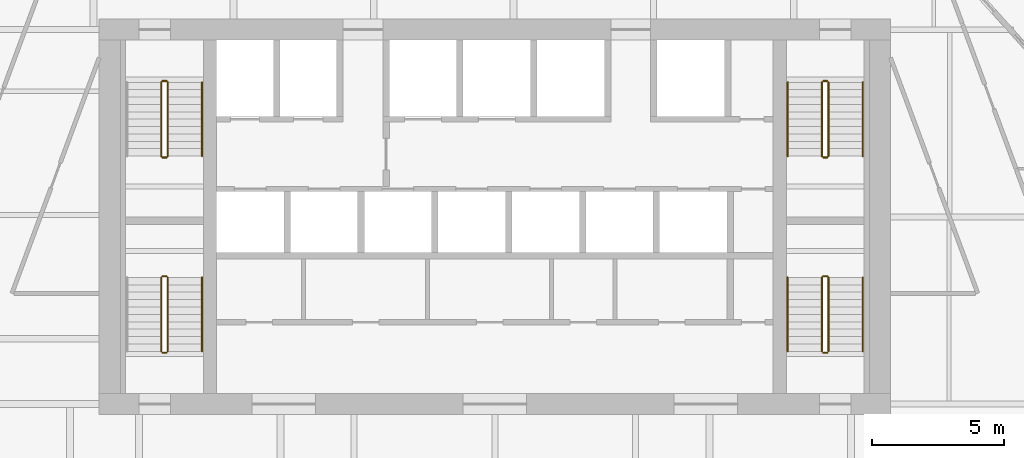
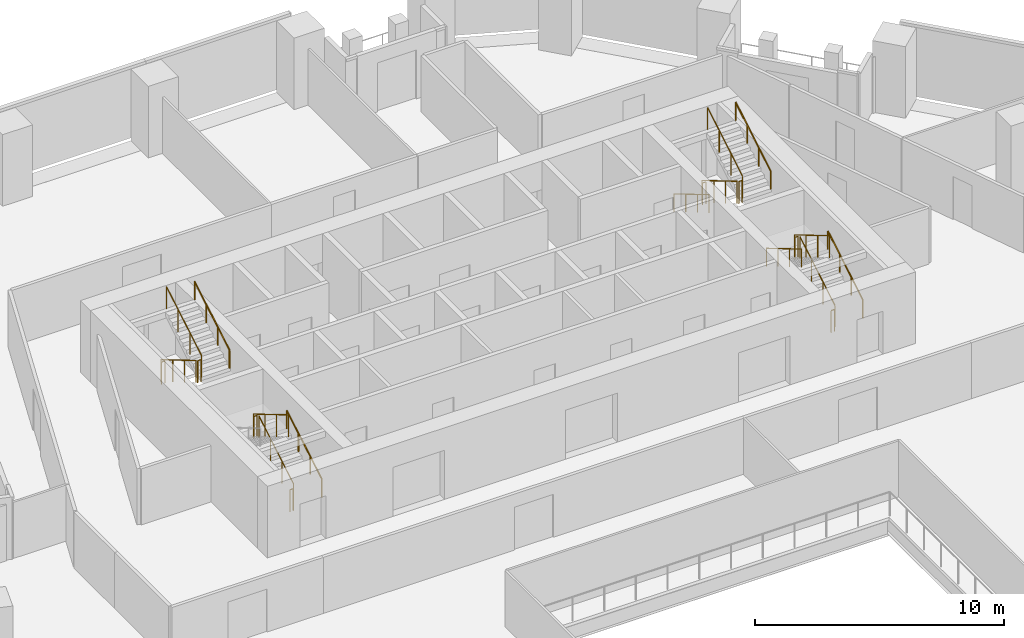
# One storey, part 22 of 24: 22 railings.
"""IFC4 building model written with IfcOpenShell, lengths in metres."""

from ifc_helpers import new_model, si_unit, direction, frame, origin, origin_2d, place, context, subcontext, project, spatial, circle, extrude, material, type_object, element, save


model = new_model("IFC4")

# Units and contexts
model_context = context("Model", 3, precision=1e-05, world=origin(), true_north=direction((0.0, 1.0)))
body_context = subcontext(model_context, "Body", "Model", "MODEL_VIEW")
ifc_project = project(units=[si_unit("LENGTHUNIT", "METRE"), si_unit("AREAUNIT", "SQUARE_METRE"), si_unit("VOLUMEUNIT", "CUBIC_METRE"), si_unit("PLANEANGLEUNIT", "RADIAN"), si_unit("MASSUNIT", "GRAM", prefix="KILO")], contexts=[model_context])

# Site, building, storey
site_placement = place(None, origin())
site = spatial("IfcSite", under=ifc_project, at=site_placement, CompositionType="ELEMENT")
building_placement = place(site_placement, origin())
building = spatial("IfcBuilding", under=site, at=building_placement, Name="Isthmus Gate Tower", CompositionType="ELEMENT")
storey_placement = place(building_placement, frame((0.0, 0.0, 159.0)))
storey = spatial("IfcBuildingStorey", under=building, at=storey_placement, Name="L39", CompositionType="ELEMENT", Elevation=159.0)

# Railings
ifc_material_1 = material(Name="Stainless steel balustrade", Category="steel")
railing_type_1 = type_object("IfcRailingType", Name="STAIR GUARD 1100", PredefinedType="GUARDRAIL", material=ifc_material_1)
railing_1_placement = place(storey_placement, frame((-12.64990234375, 12.60009765625, 0.166015625)))
element("IfcRailing", 1, at=railing_1_placement, inside=storey, type_object=railing_type_1, Name="L39 ST1 stair guard 1", PredefinedType="GUARDRAIL", context=body_context, shape_type="SweptSolid", body=[
    extrude(circle(Radius=0.02392578125, at=origin_2d()), frame((0.0, 0.0, 1.076171875), z_axis=(0.0, -0.860339051648, 0.50972219513), x_axis=(1.0, 0.0, 0.0)), (0.0, 0.0, 1.0), 3.254638671875),
    extrude(circle(Radius=0.02099609375, at=origin_2d()), origin(), (0.0, 0.0, 1.0), 1.052001953125),
    extrude(circle(Radius=0.02099609375, at=origin_2d()), frame((0.0, -0.933349609375, 0.552978515625)), (0.0, 0.0, 1.0), 1.052001953125),
    extrude(circle(Radius=0.02099609375, at=origin_2d()), frame((0.0, -1.86669921875, 1.10595703125)), (0.0, 0.0, 1.0), 1.052001953125),
    extrude(circle(Radius=0.02099609375, at=origin_2d()), frame((0.0, -2.800048828125, 1.658935546875)), (0.0, 0.0, 1.0), 1.052001953125),
])
railing_2_placement = place(storey_placement, frame((-12.60009765625, 9.75, 1.824951171875)))
element("IfcRailing", 2, at=railing_2_placement, inside=storey, type_object=railing_type_1, Name="L39 ST1 stair guard 2", PredefinedType="GUARDRAIL", context=body_context, shape_type="SweptSolid", body=[
    extrude(circle(Radius=0.02392578125, at=origin_2d()), frame((0.0, 0.0, 1.076171875), z_axis=(1.0, 0.0, 0.0), x_axis=(0.0, 1.0, 0.0)), (0.0, 0.0, 1.0), 0.150146484375),
    extrude(circle(Radius=0.02099609375, at=origin_2d()), origin(), (0.0, 0.0, 1.0), 1.052001953125),
    extrude(circle(Radius=0.02099609375, at=origin_2d()), frame((0.150146484375, 0.0, 0.0)), (0.0, 0.0, 1.0), 1.052001953125),
])
railing_3_placement = place(storey_placement, frame((-12.39990234375, 9.800048828125, 1.990966796875)))
element("IfcRailing", 3, at=railing_3_placement, inside=storey, type_object=railing_type_1, Name="L39 ST1 stair guard 3", PredefinedType="GUARDRAIL", context=body_context, shape_type="SweptSolid", body=[
    extrude(circle(Radius=0.02392578125, at=origin_2d()), frame((0.0, 0.0, 1.076171875), z_axis=(0.0, 0.860339051648, 0.50972219513), x_axis=(-1.0, 0.0, 0.0)), (0.0, 0.0, 1.0), 3.254638671875),
    extrude(circle(Radius=0.02099609375, at=origin_2d()), origin(), (0.0, 0.0, 1.0), 1.052001953125),
    extrude(circle(Radius=0.02099609375, at=origin_2d()), frame((0.0, 0.933349609375, 0.552978515625)), (0.0, 0.0, 1.0), 1.052001953125),
    extrude(circle(Radius=0.02099609375, at=origin_2d()), frame((0.0, 1.86669921875, 1.10595703125)), (0.0, 0.0, 1.0), 1.052001953125),
    extrude(circle(Radius=0.02099609375, at=origin_2d()), frame((0.0, 2.800048828125, 1.658935546875)), (0.0, 0.0, 1.0), 1.052001953125),
])
railing_4_placement = place(storey_placement, frame((-12.60009765625, 12.64990234375, 0.0)))
element("IfcRailing", 4, at=railing_4_placement, inside=storey, type_object=railing_type_1, Name="L39 ST1 stair guard 4", PredefinedType="GUARDRAIL", context=body_context, shape_type="SweptSolid", body=[
    extrude(circle(Radius=0.02392578125, at=origin_2d()), frame((0.0, 0.0, 1.076171875), z_axis=(1.0, 0.0, 0.0), x_axis=(0.0, 1.0, 0.0)), (0.0, 0.0, 1.0), 0.150146484375),
    extrude(circle(Radius=0.02099609375, at=origin_2d()), origin(), (0.0, 0.0, 1.0), 1.052001953125),
    extrude(circle(Radius=0.02099609375, at=origin_2d()), frame((0.150146484375, 0.0, 0.0)), (0.0, 0.0, 1.0), 1.052001953125),
])
railing_5_placement = place(storey_placement, frame((12.39990234375, 12.60009765625, 0.166015625)))
element("IfcRailing", 5, at=railing_5_placement, inside=storey, type_object=railing_type_1, Name="L39 ST2 stair guard 1", PredefinedType="GUARDRAIL", context=body_context, shape_type="SweptSolid", body=[
    extrude(circle(Radius=0.02392578125, at=origin_2d()), frame((0.0, 0.0, 1.076171875), z_axis=(0.0, -0.860339051648, 0.50972219513), x_axis=(1.0, 0.0, 0.0)), (0.0, 0.0, 1.0), 3.254638671875),
    extrude(circle(Radius=0.02099609375, at=origin_2d()), origin(), (0.0, 0.0, 1.0), 1.052001953125),
    extrude(circle(Radius=0.02099609375, at=origin_2d()), frame((0.0, -0.933349609375, 0.552978515625)), (0.0, 0.0, 1.0), 1.052001953125),
    extrude(circle(Radius=0.02099609375, at=origin_2d()), frame((0.0, -1.86669921875, 1.10595703125)), (0.0, 0.0, 1.0), 1.052001953125),
    extrude(circle(Radius=0.02099609375, at=origin_2d()), frame((0.0, -2.800048828125, 1.658935546875)), (0.0, 0.0, 1.0), 1.052001953125),
])
railing_6_placement = place(storey_placement, frame((12.449951171875, 9.75, 1.824951171875)))
element("IfcRailing", 6, at=railing_6_placement, inside=storey, type_object=railing_type_1, Name="L39 ST2 stair guard 2", PredefinedType="GUARDRAIL", context=body_context, shape_type="SweptSolid", body=[
    extrude(circle(Radius=0.02392578125, at=origin_2d()), frame((0.0, 0.0, 1.076171875), z_axis=(1.0, 0.0, 0.0), x_axis=(0.0, 1.0, 0.0)), (0.0, 0.0, 1.0), 0.150146484375),
    extrude(circle(Radius=0.02099609375, at=origin_2d()), origin(), (0.0, 0.0, 1.0), 1.052001953125),
    extrude(circle(Radius=0.02099609375, at=origin_2d()), frame((0.150146484375, 0.0, 0.0)), (0.0, 0.0, 1.0), 1.052001953125),
])
railing_7_placement = place(storey_placement, frame((12.64990234375, 9.800048828125, 1.990966796875)))
element("IfcRailing", 7, at=railing_7_placement, inside=storey, type_object=railing_type_1, Name="L39 ST2 stair guard 3", PredefinedType="GUARDRAIL", context=body_context, shape_type="SweptSolid", body=[
    extrude(circle(Radius=0.02392578125, at=origin_2d()), frame((0.0, 0.0, 1.076171875), z_axis=(0.0, 0.860339051648, 0.50972219513), x_axis=(-1.0, 0.0, 0.0)), (0.0, 0.0, 1.0), 3.254638671875),
    extrude(circle(Radius=0.02099609375, at=origin_2d()), origin(), (0.0, 0.0, 1.0), 1.052001953125),
    extrude(circle(Radius=0.02099609375, at=origin_2d()), frame((0.0, 0.933349609375, 0.552978515625)), (0.0, 0.0, 1.0), 1.052001953125),
    extrude(circle(Radius=0.02099609375, at=origin_2d()), frame((0.0, 1.86669921875, 1.10595703125)), (0.0, 0.0, 1.0), 1.052001953125),
    extrude(circle(Radius=0.02099609375, at=origin_2d()), frame((0.0, 2.800048828125, 1.658935546875)), (0.0, 0.0, 1.0), 1.052001953125),
])
railing_8_placement = place(storey_placement, frame((12.449951171875, 12.64990234375, 0.0)))
element("IfcRailing", 8, at=railing_8_placement, inside=storey, type_object=railing_type_1, Name="L39 ST2 stair guard 4", PredefinedType="GUARDRAIL", context=body_context, shape_type="SweptSolid", body=[
    extrude(circle(Radius=0.02392578125, at=origin_2d()), frame((0.0, 0.0, 1.076171875), z_axis=(1.0, 0.0, 0.0), x_axis=(0.0, 1.0, 0.0)), (0.0, 0.0, 1.0), 0.150146484375),
    extrude(circle(Radius=0.02099609375, at=origin_2d()), origin(), (0.0, 0.0, 1.0), 1.052001953125),
    extrude(circle(Radius=0.02099609375, at=origin_2d()), frame((0.150146484375, 0.0, 0.0)), (0.0, 0.0, 1.0), 1.052001953125),
])
railing_9_placement = place(storey_placement, frame((-12.39990234375, 2.39990234375, 0.166015625)))
element("IfcRailing", 9, at=railing_9_placement, inside=storey, type_object=railing_type_1, Name="L39 ST7 stair guard 1", PredefinedType="GUARDRAIL", context=body_context, shape_type="SweptSolid", body=[
    extrude(circle(Radius=0.02392578125, at=origin_2d()), frame((0.0, 0.0, 1.076171875), z_axis=(0.0, 0.860339051648, 0.50972219513), x_axis=(-1.0, 0.0, 0.0)), (0.0, 0.0, 1.0), 3.254638671875),
    extrude(circle(Radius=0.02099609375, at=origin_2d()), origin(), (0.0, 0.0, 1.0), 1.052001953125),
    extrude(circle(Radius=0.02099609375, at=origin_2d()), frame((0.0, 0.933349609375, 0.552978515625)), (0.0, 0.0, 1.0), 1.052001953125),
    extrude(circle(Radius=0.02099609375, at=origin_2d()), frame((0.0, 1.86669921875, 1.10595703125)), (0.0, 0.0, 1.0), 1.052001953125),
    extrude(circle(Radius=0.02099609375, at=origin_2d()), frame((0.0, 2.800048828125, 1.658935546875)), (0.0, 0.0, 1.0), 1.052001953125),
])
railing_10_placement = place(storey_placement, frame((-12.449951171875, 5.25, 1.824951171875)))
element("IfcRailing", 10, at=railing_10_placement, inside=storey, type_object=railing_type_1, Name="L39 ST7 stair guard 2", PredefinedType="GUARDRAIL", context=body_context, shape_type="SweptSolid", body=[
    extrude(circle(Radius=0.02392578125, at=origin_2d()), frame((0.0, 0.0, 1.076171875), z_axis=(-1.0, 0.0, 0.0), x_axis=(0.0, -1.0, 0.0)), (0.0, 0.0, 1.0), 0.150146484375),
    extrude(circle(Radius=0.02099609375, at=origin_2d()), origin(), (0.0, 0.0, 1.0), 1.052001953125),
    extrude(circle(Radius=0.02099609375, at=origin_2d()), frame((-0.150146484375, 0.0, 0.0)), (0.0, 0.0, 1.0), 1.052001953125),
])
railing_11_placement = place(storey_placement, frame((-12.64990234375, 5.199951171875, 1.990966796875)))
element("IfcRailing", 11, at=railing_11_placement, inside=storey, type_object=railing_type_1, Name="L39 ST7 stair guard 3", PredefinedType="GUARDRAIL", context=body_context, shape_type="SweptSolid", body=[
    extrude(circle(Radius=0.02392578125, at=origin_2d()), frame((0.0, 0.0, 1.076171875), z_axis=(0.0, -0.860339051648, 0.50972219513), x_axis=(1.0, 0.0, 0.0)), (0.0, 0.0, 1.0), 3.254638671875),
    extrude(circle(Radius=0.02099609375, at=origin_2d()), origin(), (0.0, 0.0, 1.0), 1.052001953125),
    extrude(circle(Radius=0.02099609375, at=origin_2d()), frame((0.0, -0.933349609375, 0.552978515625)), (0.0, 0.0, 1.0), 1.052001953125),
    extrude(circle(Radius=0.02099609375, at=origin_2d()), frame((0.0, -1.86669921875, 1.10595703125)), (0.0, 0.0, 1.0), 1.052001953125),
    extrude(circle(Radius=0.02099609375, at=origin_2d()), frame((0.0, -2.800048828125, 1.658935546875)), (0.0, 0.0, 1.0), 1.052001953125),
])
railing_12_placement = place(storey_placement, frame((-12.449951171875, 2.35009765625, 0.0)))
element("IfcRailing", 12, at=railing_12_placement, inside=storey, type_object=railing_type_1, Name="L39 ST7 stair guard 4", PredefinedType="GUARDRAIL", context=body_context, shape_type="SweptSolid", body=[
    extrude(circle(Radius=0.02392578125, at=origin_2d()), frame((0.0, 0.0, 1.076171875), z_axis=(-1.0, 0.0, 0.0), x_axis=(0.0, -1.0, 0.0)), (0.0, 0.0, 1.0), 0.150146484375),
    extrude(circle(Radius=0.02099609375, at=origin_2d()), origin(), (0.0, 0.0, 1.0), 1.052001953125),
    extrude(circle(Radius=0.02099609375, at=origin_2d()), frame((-0.150146484375, 0.0, 0.0)), (0.0, 0.0, 1.0), 1.052001953125),
])
railing_13_placement = place(storey_placement, frame((12.64990234375, 2.39990234375, 0.166015625)))
element("IfcRailing", 13, at=railing_13_placement, inside=storey, type_object=railing_type_1, Name="L39 ST8 stair guard 1", PredefinedType="GUARDRAIL", context=body_context, shape_type="SweptSolid", body=[
    extrude(circle(Radius=0.02392578125, at=origin_2d()), frame((0.0, 0.0, 1.076171875), z_axis=(0.0, 0.860339051648, 0.50972219513), x_axis=(-1.0, 0.0, 0.0)), (0.0, 0.0, 1.0), 3.254638671875),
    extrude(circle(Radius=0.02099609375, at=origin_2d()), origin(), (0.0, 0.0, 1.0), 1.052001953125),
    extrude(circle(Radius=0.02099609375, at=origin_2d()), frame((0.0, 0.933349609375, 0.552978515625)), (0.0, 0.0, 1.0), 1.052001953125),
    extrude(circle(Radius=0.02099609375, at=origin_2d()), frame((0.0, 1.86669921875, 1.10595703125)), (0.0, 0.0, 1.0), 1.052001953125),
    extrude(circle(Radius=0.02099609375, at=origin_2d()), frame((0.0, 2.800048828125, 1.658935546875)), (0.0, 0.0, 1.0), 1.052001953125),
])
railing_14_placement = place(storey_placement, frame((12.60009765625, 5.25, 1.824951171875)))
element("IfcRailing", 14, at=railing_14_placement, inside=storey, type_object=railing_type_1, Name="L39 ST8 stair guard 2", PredefinedType="GUARDRAIL", context=body_context, shape_type="SweptSolid", body=[
    extrude(circle(Radius=0.02392578125, at=origin_2d()), frame((0.0, 0.0, 1.076171875), z_axis=(-1.0, 0.0, 0.0), x_axis=(0.0, -1.0, 0.0)), (0.0, 0.0, 1.0), 0.150146484375),
    extrude(circle(Radius=0.02099609375, at=origin_2d()), origin(), (0.0, 0.0, 1.0), 1.052001953125),
    extrude(circle(Radius=0.02099609375, at=origin_2d()), frame((-0.150146484375, 0.0, 0.0)), (0.0, 0.0, 1.0), 1.052001953125),
])
railing_15_placement = place(storey_placement, frame((12.39990234375, 5.199951171875, 1.990966796875)))
element("IfcRailing", 15, at=railing_15_placement, inside=storey, type_object=railing_type_1, Name="L39 ST8 stair guard 3", PredefinedType="GUARDRAIL", context=body_context, shape_type="SweptSolid", body=[
    extrude(circle(Radius=0.02392578125, at=origin_2d()), frame((0.0, 0.0, 1.076171875), z_axis=(0.0, -0.860339051648, 0.50972219513), x_axis=(1.0, 0.0, 0.0)), (0.0, 0.0, 1.0), 3.254638671875),
    extrude(circle(Radius=0.02099609375, at=origin_2d()), origin(), (0.0, 0.0, 1.0), 1.052001953125),
    extrude(circle(Radius=0.02099609375, at=origin_2d()), frame((0.0, -0.933349609375, 0.552978515625)), (0.0, 0.0, 1.0), 1.052001953125),
    extrude(circle(Radius=0.02099609375, at=origin_2d()), frame((0.0, -1.86669921875, 1.10595703125)), (0.0, 0.0, 1.0), 1.052001953125),
    extrude(circle(Radius=0.02099609375, at=origin_2d()), frame((0.0, -2.800048828125, 1.658935546875)), (0.0, 0.0, 1.0), 1.052001953125),
])
railing_16_placement = place(storey_placement, frame((12.60009765625, 2.35009765625, 0.0)))
element("IfcRailing", 16, at=railing_16_placement, inside=storey, type_object=railing_type_1, Name="L39 ST8 stair guard 4", PredefinedType="GUARDRAIL", context=body_context, shape_type="SweptSolid", body=[
    extrude(circle(Radius=0.02392578125, at=origin_2d()), frame((0.0, 0.0, 1.076171875), z_axis=(-1.0, 0.0, 0.0), x_axis=(0.0, -1.0, 0.0)), (0.0, 0.0, 1.0), 0.150146484375),
    extrude(circle(Radius=0.02099609375, at=origin_2d()), origin(), (0.0, 0.0, 1.0), 1.052001953125),
    extrude(circle(Radius=0.02099609375, at=origin_2d()), frame((-0.150146484375, 0.0, 0.0)), (0.0, 0.0, 1.0), 1.052001953125),
])
ifc_material_2 = material(Name="Stainless steel handrail", Category="steel")
railing_type_2 = type_object("IfcRailingType", Name="STAIR HANDRAIL 900", PredefinedType="HANDRAIL", material=ifc_material_2)
railing_17_placement = place(storey_placement, frame((-11.10009765625, 9.800048828125, 1.990966796875)))
element("IfcRailing", 17, at=railing_17_placement, inside=storey, type_object=railing_type_2, Name="L39 ST1 stair handrail 2", PredefinedType="HANDRAIL", context=body_context, shape_type="SweptSolid", body=[
    extrude(circle(Radius=0.02392578125, at=origin_2d()), frame((0.0, 0.0, 0.8759765625), z_axis=(0.0, 0.860339051648, 0.50972219513), x_axis=(-1.0, 0.0, 0.0)), (0.0, 0.0, 1.0), 3.254638671875),
    extrude(circle(Radius=0.02099609375, at=origin_2d()), origin(), (0.0, 0.0, 1.0), 0.851806640625),
    extrude(circle(Radius=0.02099609375, at=origin_2d()), frame((0.0, 0.933349609375, 0.552978515625)), (0.0, 0.0, 1.0), 0.851806640625),
    extrude(circle(Radius=0.02099609375, at=origin_2d()), frame((0.0, 1.86669921875, 1.10595703125)), (0.0, 0.0, 1.0), 0.851806640625),
    extrude(circle(Radius=0.02099609375, at=origin_2d()), frame((0.0, 2.800048828125, 1.658935546875)), (0.0, 0.0, 1.0), 0.851806640625),
])
railing_18_placement = place(storey_placement, frame((11.10009765625, 12.60009765625, 0.166015625)))
element("IfcRailing", 18, at=railing_18_placement, inside=storey, type_object=railing_type_2, Name="L39 ST2 stair handrail 1", PredefinedType="HANDRAIL", context=body_context, shape_type="SweptSolid", body=[
    extrude(circle(Radius=0.02392578125, at=origin_2d()), frame((0.0, 0.0, 0.8759765625), z_axis=(0.0, -0.860339051648, 0.50972219513), x_axis=(1.0, 0.0, 0.0)), (0.0, 0.0, 1.0), 3.254638671875),
    extrude(circle(Radius=0.02099609375, at=origin_2d()), origin(), (0.0, 0.0, 1.0), 0.851806640625),
    extrude(circle(Radius=0.02099609375, at=origin_2d()), frame((0.0, -0.933349609375, 0.552978515625)), (0.0, 0.0, 1.0), 0.851806640625),
    extrude(circle(Radius=0.02099609375, at=origin_2d()), frame((0.0, -1.86669921875, 1.10595703125)), (0.0, 0.0, 1.0), 0.851806640625),
    extrude(circle(Radius=0.02099609375, at=origin_2d()), frame((0.0, -2.800048828125, 1.658935546875)), (0.0, 0.0, 1.0), 0.851806640625),
])
for number, where, name in (
    (19, (13.949951171875, 9.800048828125, 1.990966796875), "L39 ST2 stair handrail 2"),
    (20, (-11.10009765625, 2.39990234375, 0.166015625), "L39 ST7 stair handrail 1"),
    (21, (13.949951171875, 2.39990234375, 0.166015625), "L39 ST8 stair handrail 1"),
):
    element("IfcRailing", number, at=place(storey_placement, frame(where)), inside=storey, type_object=railing_type_2, Name=name, PredefinedType="HANDRAIL", context=body_context, shape_type="SweptSolid", body=[
        extrude(circle(Radius=0.02392578125, at=origin_2d()), frame((0.0, 0.0, 0.8759765625), z_axis=(0.0, 0.860339051648, 0.50972219513), x_axis=(-1.0, 0.0, 0.0)), (0.0, 0.0, 1.0), 3.254638671875),
        extrude(circle(Radius=0.02099609375, at=origin_2d()), origin(), (0.0, 0.0, 1.0), 0.851806640625),
        extrude(circle(Radius=0.02099609375, at=origin_2d()), frame((0.0, 0.933349609375, 0.552978515625)), (0.0, 0.0, 1.0), 0.851806640625),
        extrude(circle(Radius=0.02099609375, at=origin_2d()), frame((0.0, 1.86669921875, 1.10595703125)), (0.0, 0.0, 1.0), 0.851806640625),
        extrude(circle(Radius=0.02099609375, at=origin_2d()), frame((0.0, 2.800048828125, 1.658935546875)), (0.0, 0.0, 1.0), 0.851806640625),
    ])
railing_19_placement = place(storey_placement, frame((11.10009765625, 5.199951171875, 1.990966796875)))
element("IfcRailing", 22, at=railing_19_placement, inside=storey, type_object=railing_type_2, Name="L39 ST8 stair handrail 2", PredefinedType="HANDRAIL", context=body_context, shape_type="SweptSolid", body=[
    extrude(circle(Radius=0.02392578125, at=origin_2d()), frame((0.0, 0.0, 0.8759765625), z_axis=(0.0, -0.860339051648, 0.50972219513), x_axis=(1.0, 0.0, 0.0)), (0.0, 0.0, 1.0), 3.254638671875),
    extrude(circle(Radius=0.02099609375, at=origin_2d()), origin(), (0.0, 0.0, 1.0), 0.851806640625),
    extrude(circle(Radius=0.02099609375, at=origin_2d()), frame((0.0, -0.933349609375, 0.552978515625)), (0.0, 0.0, 1.0), 0.851806640625),
    extrude(circle(Radius=0.02099609375, at=origin_2d()), frame((0.0, -1.86669921875, 1.10595703125)), (0.0, 0.0, 1.0), 0.851806640625),
    extrude(circle(Radius=0.02099609375, at=origin_2d()), frame((0.0, -2.800048828125, 1.658935546875)), (0.0, 0.0, 1.0), 0.851806640625),
])

save(model, "model.ifc")
